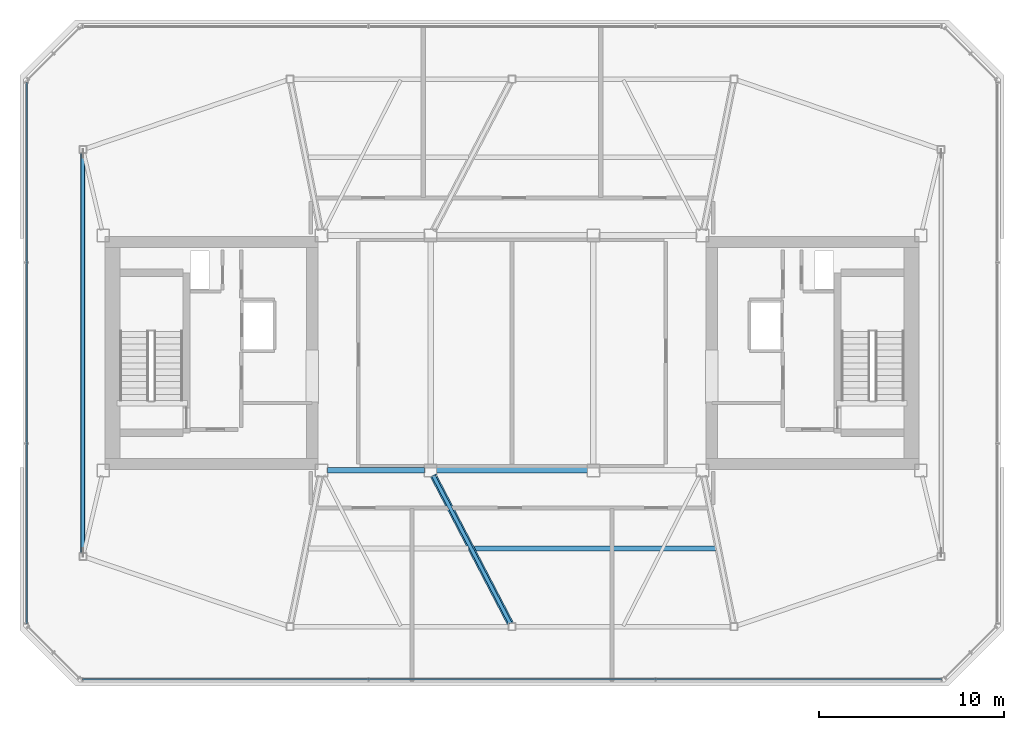
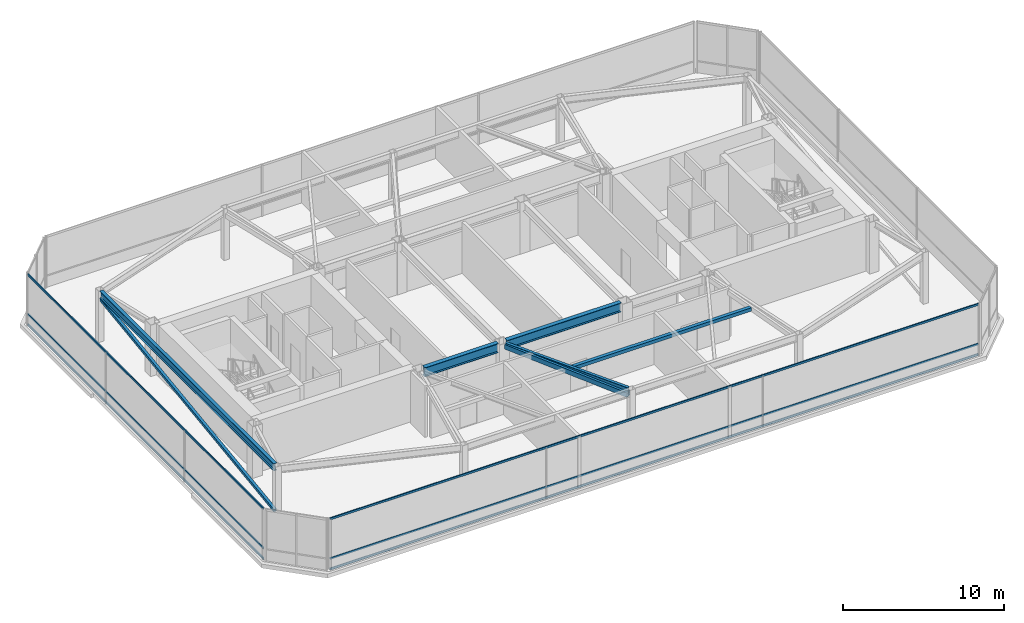
# One storey, part 5 of 21: 9 members, 4 beams, 2 elements without a shape of their own.
"""IFC4 building model written with IfcOpenShell, lengths in metres."""

from ifc_helpers import new_model, si_unit, direction, frame, origin, origin_2d, place, context, subcontext, project, spatial, hollow_rectangle, i_section, extrude, material, layer, layer_set, material_profile, profile_set, type_object, element, aggregate, save


model = new_model("IFC4")

# Units and contexts
model_context = context("Model", 3, precision=1e-05, world=origin(), true_north=direction((0.0, 1.0)))
body_context = subcontext(model_context, "Body", "Model", "MODEL_VIEW")
ifc_project = project(units=[si_unit("LENGTHUNIT", "METRE"), si_unit("AREAUNIT", "SQUARE_METRE"), si_unit("VOLUMEUNIT", "CUBIC_METRE"), si_unit("PLANEANGLEUNIT", "RADIAN"), si_unit("MASSUNIT", "GRAM", prefix="KILO")], contexts=[model_context])

# Site, building, storey
site_placement = place(None, origin())
site = spatial("IfcSite", under=ifc_project, at=site_placement, CompositionType="ELEMENT")
building_placement = place(site_placement, origin())
building = spatial("IfcBuilding", under=site, at=building_placement, Name="Tavrogorsk Clinical Tower", CompositionType="ELEMENT")
storey_placement = place(building_placement, frame((0.0, 0.0, 348.60009765625)))
storey = spatial("IfcBuildingStorey", under=building, at=storey_placement, Name="L81", CompositionType="ELEMENT", Elevation=348.60009765625)

# Members
ifc_material_1 = material(Name="Structural steel S355", Category="steel")
ifc_material_profile_1 = material_profile(ifc_material_1, hollow_rectangle(XDim=0.199951171875, YDim=0.199951171875, WallThickness=0.010009765625, at=origin_2d()), Name="SHS-200x200x10")
ifc_profile_set_1 = profile_set([ifc_material_profile_1], Name="Structural steel S355")
member_type_1 = type_object("IfcMemberType", Name="CrownBrace_SHS200", PredefinedType="BRACE", material=ifc_profile_set_1)
member_1_placement = place(storey_placement, frame((-23.199951171875, -10.791748046875, 0.327880859375), z_axis=(0.0, 0.991129911898, 0.132896567831), x_axis=(-1.0, 0.0, 0.0)))
element("IfcMember", 1, at=member_1_placement, inside=storey, type_object=member_type_1, Name="L81 Crown Drum Brace 1", PredefinedType="BRACE", context=body_context, shape_type="SweptSolid", body=[
    extrude(hollow_rectangle(XDim=0.199951171875, YDim=0.199951171875, WallThickness=0.010009765625, at=origin_2d()), origin(), (0.0, 0.0, 1.0), 21.776611328125),
])
ifc_material_2 = material(Name="Structural steel S355", Category="steel")
ifc_material_profile_2 = material_profile(ifc_material_2, hollow_rectangle(XDim=0.25, YDim=0.25, WallThickness=0.012451171875, at=origin_2d()), Name="SHS-250x250x12.5")
ifc_profile_set_2 = profile_set([ifc_material_profile_2], Name="Structural steel S355")
member_type_2 = type_object("IfcMemberType", Name="CrownFacetPurlin_SHS250", PredefinedType="PURLIN", material=ifc_profile_set_2)
member_2_placement = place(storey_placement, frame((-2.0400390625, -10.574951171875, 3.52978515625), z_axis=(1.0, 0.0, 0.0), x_axis=(0.0, 1.0, 0.0)))
element("IfcMember", 2, at=member_2_placement, inside=storey, type_object=member_type_2, Name="L81 Crown Facet Purlin S-2", PredefinedType="PURLIN", context=body_context, shape_type="SweptSolid", body=[
    extrude(hollow_rectangle(XDim=0.25, YDim=0.25, WallThickness=0.012451171875, at=origin_2d()), origin(), (0.0, 0.0, 1.0), 13.030029296875),
])
ifc_material_3 = material(Name="Structural steel S390", Category="steel")
ifc_material_profile_3 = material_profile(ifc_material_3, hollow_rectangle(XDim=0.35009765625, YDim=0.35009765625, WallThickness=0.01611328125, at=origin_2d()), Name="SHS-350x350x16")
ifc_profile_set_3 = profile_set([ifc_material_profile_3], Name="Structural steel S390")
member_type_3 = type_object("IfcMemberType", Name="CrownFacetRafter_SHS350", PredefinedType="RAFTER", material=ifc_profile_set_3)
member_3_placement = place(storey_placement, frame((-4.2568359375, -6.624755859375, 3.670166015625), z_axis=(0.461609796576, -0.886524618116, -0.031472165167), x_axis=(0.886963994611, 0.461838578146, 0.0)))
element("IfcMember", 3, at=member_3_placement, inside=storey, type_object=member_type_3, Name="L81 Sloped Facet Rafter S-2", PredefinedType="RAFTER", context=body_context, shape_type="SweptSolid", body=[
    extrude(hollow_rectangle(XDim=0.35009765625, YDim=0.35009765625, WallThickness=0.01611328125, at=origin_2d()), origin(), (0.0, 0.0, 1.0), 9.021728515625),
])

# Curtain wall, members
ifc_material_4 = material(Name="Anodised aluminium and triple IGU glazing", Category="aluminium")
ifc_layer = layer(ifc_material_4, 0.179931640625)
ifc_layer_set = layer_set([ifc_layer], Name="Anodised aluminium and triple IGU glazing")
curtain_wall_type = type_object("IfcCurtainWallType", Name="CW5_SkyLobby", PredefinedType="NOTDEFINED", material=ifc_layer_set)
curtain_wall_1_placement = place(storey_placement, origin())
curtain_wall_1 = element("IfcCurtainWall", 4, at=curtain_wall_1_placement, inside=storey, type_object=curtain_wall_type, Name="L81 Curtain Wall CW-L81-DRUM-2", PredefinedType="NOTDEFINED")
ifc_material_5 = material(Name="Anodised aluminium alloy AW-6060", Category="aluminium")
ifc_material_profile_4 = material_profile(ifc_material_5, hollow_rectangle(XDim=0.074951171875, YDim=0.14990234375, WallThickness=0.0048828125, at=origin_2d()), Name="RHS-150x75x5")
ifc_profile_set_4 = profile_set([ifc_material_profile_4], Name="Anodised aluminium alloy AW-6060")
member_type_4 = type_object("IfcMemberType", Name="CwTransom_150x75", PredefinedType="USERDEFINED", material=ifc_profile_set_4)
member_4_placement = place(storey_placement, frame((-26.239990234375, -14.628662109375, 0.0498046875), z_axis=(0.0, 1.0, 0.0), x_axis=(-1.0, 0.0, 0.0)))
member_4 = element("IfcMember", 5, at=member_4_placement, type_object=member_type_4, Name="CW-L81-DRUM-2 Transom 1", ObjectType="TRANSOM", PredefinedType="USERDEFINED", context=body_context, shape_type="SweptSolid", body=[
    extrude(hollow_rectangle(XDim=0.074951171875, YDim=0.14990234375, WallThickness=0.0048828125, at=origin_2d()), origin(), (0.0, 0.0, 1.0), 29.25732421875),
])
member_5_placement = place(storey_placement, frame((-26.239990234375, -14.628662109375, 0.849853515625), z_axis=(0.0, 1.0, 0.0), x_axis=(-1.0, 0.0, 0.0)))
member_5 = element("IfcMember", 6, at=member_5_placement, type_object=member_type_4, Name="CW-L81-DRUM-2 Transom 2", ObjectType="TRANSOM", PredefinedType="USERDEFINED", context=body_context, shape_type="SweptSolid", body=[
    extrude(hollow_rectangle(XDim=0.074951171875, YDim=0.14990234375, WallThickness=0.0048828125, at=origin_2d()), origin(), (0.0, 0.0, 1.0), 29.25732421875),
])
member_6_placement = place(storey_placement, frame((-26.239990234375, -14.628662109375, 3.849853515625), z_axis=(0.0, 1.0, 0.0), x_axis=(-1.0, 0.0, 0.0)))
member_6 = element("IfcMember", 7, at=member_6_placement, type_object=member_type_4, Name="CW-L81-DRUM-2 Transom 3", ObjectType="TRANSOM", PredefinedType="USERDEFINED", context=body_context, shape_type="SweptSolid", body=[
    extrude(hollow_rectangle(XDim=0.074951171875, YDim=0.14990234375, WallThickness=0.0048828125, at=origin_2d()), origin(), (0.0, 0.0, 1.0), 29.25732421875),
])
aggregate(curtain_wall_1, [member_4, member_5, member_6])

curtain_wall_2_placement = place(storey_placement, origin())
curtain_wall_2 = element("IfcCurtainWall", 8, at=curtain_wall_2_placement, inside=storey, type_object=curtain_wall_type, Name="L81 Curtain Wall CW-L81-DRUM-8", PredefinedType="NOTDEFINED")
member_7_placement = place(storey_placement, frame((23.228759765625, -17.639892578125, 0.0498046875), z_axis=(-1.0, 0.0, 0.0), x_axis=(0.0, -1.0, 0.0)))
member_7 = element("IfcMember", 9, at=member_7_placement, type_object=member_type_4, Name="CW-L81-DRUM-8 Transom 1", ObjectType="TRANSOM", PredefinedType="USERDEFINED", context=body_context, shape_type="SweptSolid", body=[
    extrude(hollow_rectangle(XDim=0.074951171875, YDim=0.14990234375, WallThickness=0.0048828125, at=origin_2d()), origin(), (0.0, 0.0, 1.0), 46.45751953125),
])
member_8_placement = place(storey_placement, frame((23.228759765625, -17.639892578125, 0.849853515625), z_axis=(-1.0, 0.0, 0.0), x_axis=(0.0, -1.0, 0.0)))
member_8 = element("IfcMember", 10, at=member_8_placement, type_object=member_type_4, Name="CW-L81-DRUM-8 Transom 2", ObjectType="TRANSOM", PredefinedType="USERDEFINED", context=body_context, shape_type="SweptSolid", body=[
    extrude(hollow_rectangle(XDim=0.074951171875, YDim=0.14990234375, WallThickness=0.0048828125, at=origin_2d()), origin(), (0.0, 0.0, 1.0), 46.45751953125),
])
member_9_placement = place(storey_placement, frame((23.228759765625, -17.639892578125, 3.849853515625), z_axis=(-1.0, 0.0, 0.0), x_axis=(0.0, -1.0, 0.0)))
member_9 = element("IfcMember", 11, at=member_9_placement, type_object=member_type_4, Name="CW-L81-DRUM-8 Transom 3", ObjectType="TRANSOM", PredefinedType="USERDEFINED", context=body_context, shape_type="SweptSolid", body=[
    extrude(hollow_rectangle(XDim=0.074951171875, YDim=0.14990234375, WallThickness=0.0048828125, at=origin_2d()), origin(), (0.0, 0.0, 1.0), 46.45751953125),
])
aggregate(curtain_wall_2, [member_7, member_8, member_9])

# Beams
ifc_material_6 = material(Name="Structural steel S355", Category="steel")
ifc_material_profile_5 = material_profile(ifc_material_6, i_section(OverallWidth=0.199951171875, OverallDepth=0.449951171875, WebThickness=0.011474609375, FlangeThickness=0.01806640625, at=origin_2d()), Name="B-450x200x11.5x18")
ifc_profile_set_5 = profile_set([ifc_material_profile_5], Name="Structural steel S355")
beam_type_1 = type_object("IfcBeamType", Name="FloorBeam_B450", PredefinedType="BEAM", material=ifc_profile_set_5)
beam_1_placement = place(storey_placement, frame((-4.2568359375, -6.625, 3.6748046875), z_axis=(0.461855081218, -0.886955401332, 0.0), x_axis=(0.886955401332, 0.461855081218, 0.0)))
element("IfcBeam", 12, at=beam_1_placement, inside=storey, type_object=beam_type_1, Name="L81 Crown Radial Beam 02", PredefinedType="BEAM", context=body_context, shape_type="SweptSolid", body=[
    extrude(i_section(OverallWidth=0.199951171875, OverallDepth=0.449951171875, WebThickness=0.011474609375, FlangeThickness=0.01806640625, at=origin_2d()), origin(), (0.0, 0.0, 1.0), 9.027099609375),
])
ifc_material_7 = material(Name="Structural steel S390", Category="steel")
ifc_material_profile_6 = material_profile(ifc_material_7, i_section(OverallWidth=0.300048828125, OverallDepth=0.699951171875, WebThickness=0.01708984375, FlangeThickness=0.028076171875, at=origin_2d()), Name="B-700x300x17x28")
ifc_profile_set_6 = profile_set([ifc_material_profile_6], Name="Structural steel S390")
beam_type_2 = type_object("IfcBeamType", Name="PrimaryGirder_B700", PredefinedType="USERDEFINED", material=ifc_profile_set_6)
beam_2_placement = place(storey_placement, frame((-9.989990234375, -6.35009765625, 3.5498046875), z_axis=(1.0, 0.0, 0.0), x_axis=(0.0, 1.0, 0.0)))
element("IfcBeam", 13, at=beam_2_placement, inside=storey, type_object=beam_type_2, Name="L81 Primary Spine Girder MG-01", ObjectType="GIRDER", PredefinedType="USERDEFINED", context=body_context, shape_type="SweptSolid", body=[
    extrude(i_section(OverallWidth=0.300048828125, OverallDepth=0.699951171875, WebThickness=0.01708984375, FlangeThickness=0.028076171875, at=origin_2d()), origin(), (0.0, 0.0, 1.0), 5.280029296875),
])
beam_3_placement = place(storey_placement, frame((-4.090087890625, -6.35009765625, 3.5498046875), z_axis=(1.0, 0.0, 0.0), x_axis=(0.0, 1.0, 0.0)))
element("IfcBeam", 14, at=beam_3_placement, inside=storey, type_object=beam_type_2, Name="L81 Primary Spine Girder MG-03", ObjectType="GIRDER", PredefinedType="USERDEFINED", context=body_context, shape_type="SweptSolid", body=[
    extrude(i_section(OverallWidth=0.300048828125, OverallDepth=0.699951171875, WebThickness=0.01708984375, FlangeThickness=0.028076171875, at=origin_2d()), origin(), (0.0, 0.0, 1.0), 8.18017578125),
])
ifc_material_8 = material(Name="Structural steel S390", Category="steel")
ifc_material_profile_7 = material_profile(ifc_material_8, i_section(OverallWidth=0.239990234375, OverallDepth=0.550048828125, WebThickness=0.013916015625, FlangeThickness=0.02197265625, at=origin_2d()), Name="B-550x240x14x22")
ifc_profile_set_7 = profile_set([ifc_material_profile_7], Name="Structural steel S390")
beam_type_3 = type_object("IfcBeamType", Name="SpandrelBeam_B550", PredefinedType="SPANDREL", material=ifc_profile_set_7)
beam_4_placement = place(storey_placement, frame((-23.199951171875, 10.81005859375, 3.625), z_axis=(0.0, -1.0, 0.0), x_axis=(1.0, 0.0, 0.0)))
element("IfcBeam", 15, at=beam_4_placement, inside=storey, type_object=beam_type_3, Name="L81 Crown Spandrel Beam 09", PredefinedType="SPANDREL", context=body_context, shape_type="SweptSolid", body=[
    extrude(i_section(OverallWidth=0.239990234375, OverallDepth=0.550048828125, WebThickness=0.013916015625, FlangeThickness=0.02197265625, at=origin_2d()), origin(), (0.0, 0.0, 1.0), 21.6201171875),
])

save(model, "model.ifc")
